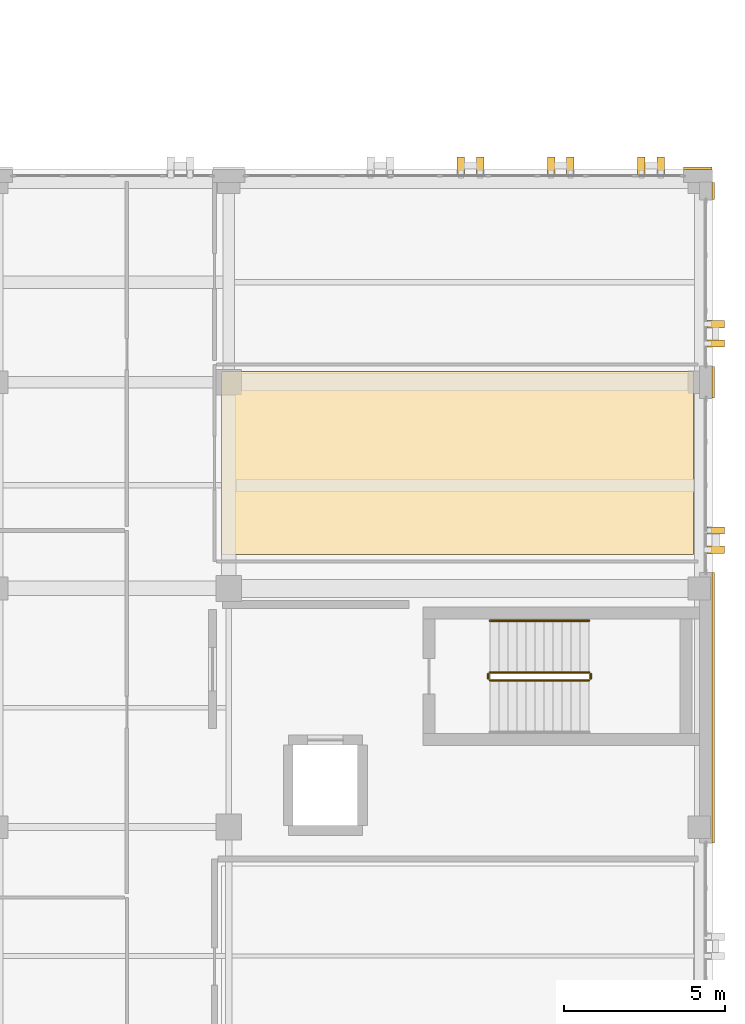
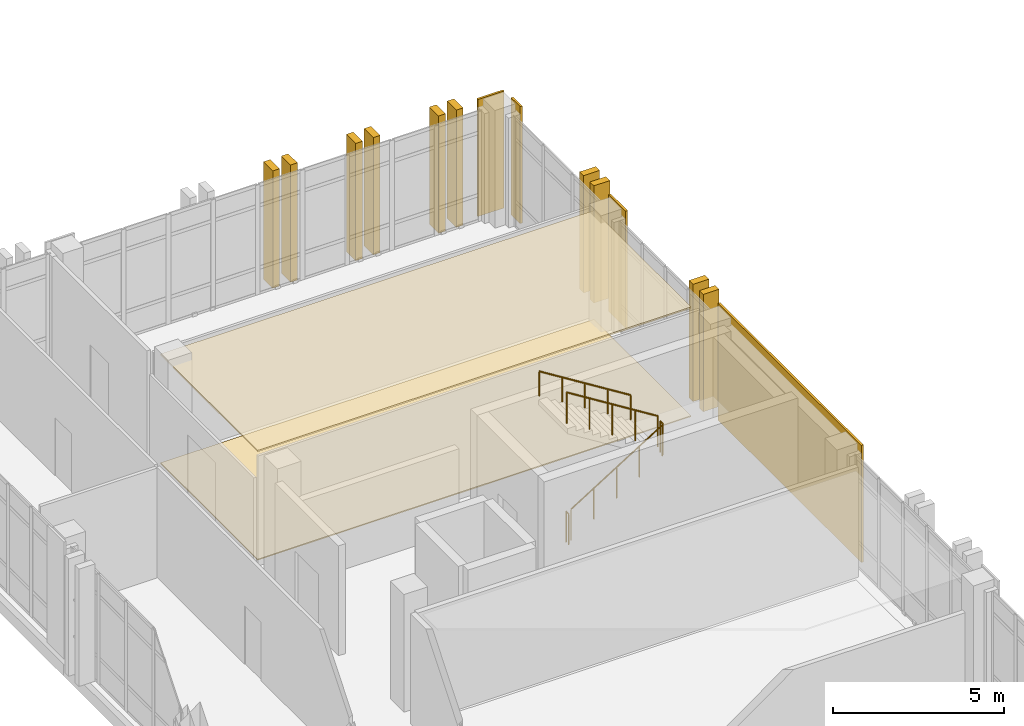
# One storey, part 153 of 158: 16 coverings, 5 railings.
"""IFC4 building model written with IfcOpenShell, lengths in metres."""

from ifc_helpers import new_model, si_unit, direction, frame, origin, origin_2d, place, context, subcontext, project, spatial, polyline, rectangle, circle, outline, extrude, material, layer, layer_set, type_object, element, save


model = new_model("IFC4")

# Units and contexts
model_context = context("Model", 3, precision=1e-05, world=origin(), true_north=direction((0.0, 1.0)))
body_context = subcontext(model_context, "Body", "Model", "MODEL_VIEW")
ifc_project = project(units=[si_unit("LENGTHUNIT", "METRE"), si_unit("AREAUNIT", "SQUARE_METRE"), si_unit("VOLUMEUNIT", "CUBIC_METRE"), si_unit("PLANEANGLEUNIT", "RADIAN"), si_unit("MASSUNIT", "GRAM", prefix="KILO")], contexts=[model_context])

# Site, building, storey
site_placement = place(None, origin())
site = spatial("IfcSite", under=ifc_project, at=site_placement, CompositionType="ELEMENT")
building_placement = place(site_placement, origin())
building = spatial("IfcBuilding", under=site, at=building_placement, Name="Qalavern Law Courts", CompositionType="ELEMENT")
storey_placement = place(building_placement, frame((0.0, 0.0, 18.60009765625)))
storey = spatial("IfcBuildingStorey", under=building, at=storey_placement, Name="L04", CompositionType="ELEMENT", Elevation=18.60009765625)

# Coverings
ifc_material_1 = material(Name="Precast concrete C40/50", Category="concrete")
ifc_layer_1 = layer(ifc_material_1, 0.22998046875)
ifc_layer_set_1 = layer_set([ifc_layer_1], Name="Precast concrete C40/50")
covering_type_1 = type_object("IfcCoveringType", Name="ENV-BLD-2", PredefinedType="CLADDING", material=ifc_layer_set_1)
for number, where, z_axis, x_axis, name in (
    (1, (106.909912109375, 74.0, 0.0048828125), (0.0, 0.0, 1.0), (1.0, 0.0, 0.0), "Absheron stone facade blade 0681"),
    (2, (106.909912109375, 74.60009765625, 0.0048828125), (0.0, 0.0, 1.0), (1.0, 0.0, 0.0), "Absheron stone facade blade 0682"),
    (3, (106.909912109375, 80.39990234375, 0.0048828125), (0.0, 0.0, 1.0), (1.0, 0.0, 0.0), "Absheron stone facade blade 0683"),
    (4, (106.909912109375, 81.0, 0.0048828125), (0.0, 0.0, 1.0), (1.0, 0.0, 0.0), "Absheron stone facade blade 0684"),
    (5, (105.199951171875, 85.909912109375, 0.0048828125), (0.0, 0.0, 1.0), (0.0, 1.0, 0.0), "Absheron stone facade blade 0685"),
    (6, (104.60009765625, 85.909912109375, 0.0048828125), (0.0, 0.0, 1.0), (0.0, 1.0, 0.0), "Absheron stone facade blade 0686"),
    (7, (102.39990234375, 85.909912109375, 0.0048828125), (0.0, 0.0, 1.0), (0.0, 1.0, 0.0), "Absheron stone facade blade 0687"),
    (8, (101.800048828125, 85.909912109375, 0.0048828125), (0.0, 0.0, 1.0), (0.0, 1.0, 0.0), "Absheron stone facade blade 0688"),
    (9, (99.60009765625, 85.909912109375, 0.0048828125), (0.0, 0.0, 1.0), (0.0, 1.0, 0.0), "Absheron stone facade blade 0689"),
    (10, (99.0, 85.909912109375, 0.0048828125), (0.0, 0.0, 1.0), (0.0, 1.0, 0.0), "Absheron stone facade blade 0690"),
):
    element("IfcCovering", number, at=place(storey_placement, frame(where, z_axis=z_axis, x_axis=x_axis)), inside=storey, type_object=covering_type_1, Name=name, PredefinedType="CLADDING", context=body_context, shape_type="SweptSolid", body=[
        extrude(rectangle(XDim=0.5400390625, YDim=0.22998046875, at=origin_2d()), origin(), (0.0, 0.0, 1.0), 4.18994140625),
    ])
ifc_layer_2 = layer(ifc_material_1, 0.072021484375)
ifc_layer_set_2 = layer_set([ifc_layer_2], Name="Precast concrete C40/50")
covering_type_2 = type_object("IfcCoveringType", Name="ENV-CLD-2", PredefinedType="CLADDING", material=ifc_layer_set_2)
covering_1_placement = place(storey_placement, frame((106.8330078125, 69.10009765625, 0.009765625), z_axis=(0.0, 0.0, 1.0), x_axis=(0.0, 1.0, 0.0)))
element("IfcCovering", 11, at=covering_1_placement, inside=storey, type_object=covering_type_2, Name="V4 Absheron limestone pier facing L04 east 4", PredefinedType="CLADDING", context=body_context, shape_type="SweptSolid", body=[
    extrude(rectangle(XDim=8.3798828125, YDim=0.072021484375, at=origin_2d()), origin(), (0.0, 0.0, 1.0), 4.179931640625),
])
covering_2_placement = place(storey_placement, frame((106.8330078125, 79.199951171875, 0.009765625), z_axis=(0.0, 0.0, 1.0), x_axis=(0.0, 1.0, 0.0)))
element("IfcCovering", 12, at=covering_2_placement, inside=storey, type_object=covering_type_2, Name="V4 Absheron limestone pier facing L04 east 5", PredefinedType="CLADDING", context=body_context, shape_type="SweptSolid", body=[
    extrude(rectangle(XDim=0.97998046875, YDim=0.072021484375, at=origin_2d()), origin(), (0.0, 0.0, 1.0), 4.179931640625),
])
covering_3_placement = place(storey_placement, frame((106.8330078125, 85.1298828125, 0.009765625), z_axis=(0.0, 0.0, 1.0), x_axis=(0.0, 1.0, 0.0)))
element("IfcCovering", 13, at=covering_3_placement, inside=storey, type_object=covering_type_2, Name="V4 Absheron limestone pier facing L04 east 6", PredefinedType="CLADDING", context=body_context, shape_type="SweptSolid", body=[
    extrude(rectangle(XDim=0.530029296875, YDim=0.072021484375, at=origin_2d()), origin(), (0.0, 0.0, 1.0), 4.179931640625),
])
covering_4_placement = place(storey_placement, frame((106.35009765625, 85.8330078125, 0.009765625), z_axis=(0.0, 0.0, 1.0), x_axis=(-1.0, 0.0, 0.0)))
element("IfcCovering", 14, at=covering_4_placement, inside=storey, type_object=covering_type_2, Name="V4 Absheron limestone pier facing L04 north 1", PredefinedType="CLADDING", context=body_context, shape_type="SweptSolid", body=[
    extrude(rectangle(XDim=0.8798828125, YDim=0.072021484375, at=origin_2d()), origin(), (0.0, 0.0, 1.0), 4.179931640625),
])
ifc_material_2 = material(Name="Slatted oak acoustic timber baffle ceiling", Category="wood")
ifc_layer_3 = layer(ifc_material_2, 0.055908203125)
ifc_layer_set_3 = layer_set([ifc_layer_3], Name="Slatted oak acoustic timber baffle ceiling")
covering_type_3 = type_object("IfcCoveringType", Name="INT-CEIL-3", PredefinedType="CEILING", material=ifc_layer_set_3)
covering_5_placement = place(storey_placement, frame((0.0, 0.0, 3.868896484375)))
element("IfcCovering", 15, at=covering_5_placement, inside=storey, type_object=covering_type_3, Name="Commercial Courtroom acoustic ceiling L04", PredefinedType="CEILING", context=body_context, shape_type="SweptSolid", body=[
    extrude(outline(polyline([(91.570068359375, 73.85009765625), (106.2099609375, 73.85009765625), (106.2099609375, 79.534912109375), (91.570068359375, 79.534912109375), (91.570068359375, 73.85009765625)])), origin(), (0.0, 0.0, 1.0), 0.055908203125),
])
ifc_material_3 = material(Name="Acoustic engineered oak courtroom flooring")
ifc_layer_4 = layer(ifc_material_3, 0.0380859375)
ifc_layer_set_4 = layer_set([ifc_layer_4], Name="Acoustic engineered oak courtroom flooring")
covering_type_4 = type_object("IfcCoveringType", Name="INT-FLR-3", PredefinedType="FLOORING", material=ifc_layer_set_4)
covering_6_placement = place(storey_placement, origin())
element("IfcCovering", 16, at=covering_6_placement, inside=storey, type_object=covering_type_4, Name="Commercial Courtroom finish flooring L04", PredefinedType="FLOORING", context=body_context, shape_type="SweptSolid", body=[
    extrude(outline(polyline([(91.570068359375, 73.85009765625), (106.2099609375, 73.85009765625), (106.2099609375, 79.534912109375), (91.570068359375, 79.534912109375), (91.570068359375, 73.85009765625)])), origin(), (0.0, 0.0, 1.0), 0.037841796875),
])

# Railings
ifc_material_4 = material(Name="Steel S355", Category="steel")
railing_type_1 = type_object("IfcRailingType", Name="INT-GUARD-1120", PredefinedType="BALUSTRADE", material=ifc_material_4)
railing_1_placement = place(storey_placement, frame((99.89990234375, 69.949951171875, 0.1748046875)))
element("IfcRailing", 17, at=railing_1_placement, inside=storey, type_object=railing_type_1, Name="L04 ST-K1B stair guard 1", PredefinedType="BALUSTRADE", context=body_context, shape_type="SweptSolid", body=[
    extrude(circle(Radius=0.02392578125, at=origin_2d()), frame((0.0, 0.0, 1.09619140625), z_axis=(0.847998304005, 0.0, 0.529998940003), x_axis=(0.0, 1.0, 0.0)), (0.0, 0.0, 1.0), 3.632080078125),
    extrude(circle(Radius=0.02099609375, at=origin_2d()), origin(), (0.0, 0.0, 1.0), 1.072021484375),
    extrude(circle(Radius=0.02099609375, at=origin_2d()), frame((0.77001953125, 0.0, 0.481201171875)), (0.0, 0.0, 1.0), 1.072021484375),
    extrude(circle(Radius=0.02099609375, at=origin_2d()), frame((1.5400390625, 0.0, 0.96240234375)), (0.0, 0.0, 1.0), 1.072021484375),
    extrude(circle(Radius=0.02099609375, at=origin_2d()), frame((2.31005859375, 0.0, 1.44384765625)), (0.0, 0.0, 1.0), 1.072021484375),
    extrude(circle(Radius=0.02099609375, at=origin_2d()), frame((3.080078125, 0.0, 1.925048828125)), (0.0, 0.0, 1.0), 1.072021484375),
])
railing_2_placement = place(storey_placement, frame((103.030029296875, 70.0, 2.099853515625)))
element("IfcRailing", 18, at=railing_2_placement, inside=storey, type_object=railing_type_1, Name="L04 ST-K1B stair guard 2", PredefinedType="BALUSTRADE", context=body_context, shape_type="SweptSolid", body=[
    extrude(circle(Radius=0.02392578125, at=origin_2d()), frame((0.0, 0.0, 1.09619140625), z_axis=(0.0, 1.0, 0.0), x_axis=(-1.0, 0.0, 0.0)), (0.0, 0.0, 1.0), 0.14990234375),
    extrude(circle(Radius=0.02099609375, at=origin_2d()), origin(), (0.0, 0.0, 1.0), 1.072021484375),
    extrude(circle(Radius=0.02099609375, at=origin_2d()), frame((0.0, 0.14990234375, 0.0)), (0.0, 0.0, 1.0), 1.072021484375),
])
railing_3_placement = place(storey_placement, frame((102.97998046875, 70.199951171875, 2.27490234375)))
element("IfcRailing", 19, at=railing_3_placement, inside=storey, type_object=railing_type_1, Name="L04 ST-K1B stair guard 3", PredefinedType="BALUSTRADE", context=body_context, shape_type="SweptSolid", body=[
    extrude(circle(Radius=0.02392578125, at=origin_2d()), frame((0.0, 0.0, 1.09619140625), z_axis=(-0.847998304005, 0.0, 0.529998940003), x_axis=(0.0, -1.0, 0.0)), (0.0, 0.0, 1.0), 3.632080078125),
    extrude(circle(Radius=0.02099609375, at=origin_2d()), origin(), (0.0, 0.0, 1.0), 1.072021484375),
    extrude(circle(Radius=0.02099609375, at=origin_2d()), frame((-0.77001953125, 0.0, 0.481201171875)), (0.0, 0.0, 1.0), 1.072021484375),
    extrude(circle(Radius=0.02099609375, at=origin_2d()), frame((-1.5400390625, 0.0, 0.96240234375)), (0.0, 0.0, 1.0), 1.072021484375),
    extrude(circle(Radius=0.02099609375, at=origin_2d()), frame((-2.31005859375, 0.0, 1.44384765625)), (0.0, 0.0, 1.0), 1.072021484375),
    extrude(circle(Radius=0.02099609375, at=origin_2d()), frame((-3.080078125, 0.0, 1.925048828125)), (0.0, 0.0, 1.0), 1.072021484375),
])
railing_4_placement = place(storey_placement, frame((99.85009765625, 70.0, 0.0)))
element("IfcRailing", 20, at=railing_4_placement, inside=storey, type_object=railing_type_1, Name="L04 ST-K1B stair guard 4", PredefinedType="BALUSTRADE", context=body_context, shape_type="SweptSolid", body=[
    extrude(circle(Radius=0.02392578125, at=origin_2d()), frame((0.0, 0.0, 1.09619140625), z_axis=(0.0, 1.0, 0.0), x_axis=(-1.0, 0.0, 0.0)), (0.0, 0.0, 1.0), 0.14990234375),
    extrude(circle(Radius=0.02099609375, at=origin_2d()), origin(), (0.0, 0.0, 1.0), 1.072021484375),
    extrude(circle(Radius=0.02099609375, at=origin_2d()), frame((0.0, 0.14990234375, 0.0)), (0.0, 0.0, 1.0), 1.072021484375),
])
railing_type_2 = type_object("IfcRailingType", Name="INT-HRAIL-920", PredefinedType="HANDRAIL", material=ifc_material_4)
railing_5_placement = place(storey_placement, frame((102.97998046875, 71.800048828125, 2.27490234375)))
element("IfcRailing", 21, at=railing_5_placement, inside=storey, type_object=railing_type_2, Name="L04 ST-K1B stair handrail 2", PredefinedType="HANDRAIL", context=body_context, shape_type="SweptSolid", body=[
    extrude(circle(Radius=0.02392578125, at=origin_2d()), frame((0.0, 0.0, 0.8759765625), z_axis=(-0.847998304005, 0.0, 0.529998940003), x_axis=(0.0, -1.0, 0.0)), (0.0, 0.0, 1.0), 3.632080078125),
    extrude(circle(Radius=0.02099609375, at=origin_2d()), origin(), (0.0, 0.0, 1.0), 0.851806640625),
    extrude(circle(Radius=0.02099609375, at=origin_2d()), frame((-0.77001953125, 0.0, 0.481201171875)), (0.0, 0.0, 1.0), 0.851806640625),
    extrude(circle(Radius=0.02099609375, at=origin_2d()), frame((-1.5400390625, 0.0, 0.96240234375)), (0.0, 0.0, 1.0), 0.851806640625),
    extrude(circle(Radius=0.02099609375, at=origin_2d()), frame((-2.31005859375, 0.0, 1.44384765625)), (0.0, 0.0, 1.0), 0.851806640625),
    extrude(circle(Radius=0.02099609375, at=origin_2d()), frame((-3.080078125, 0.0, 1.925048828125)), (0.0, 0.0, 1.0), 0.851806640625),
])

save(model, "model.ifc")
